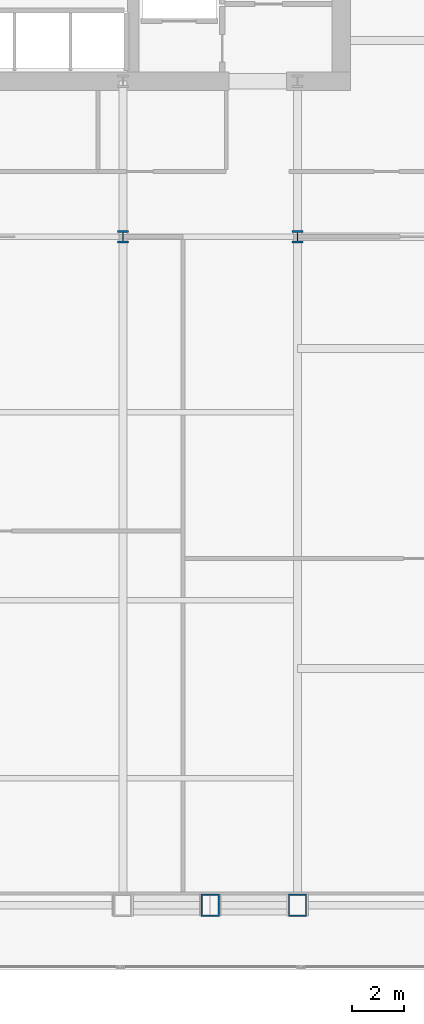
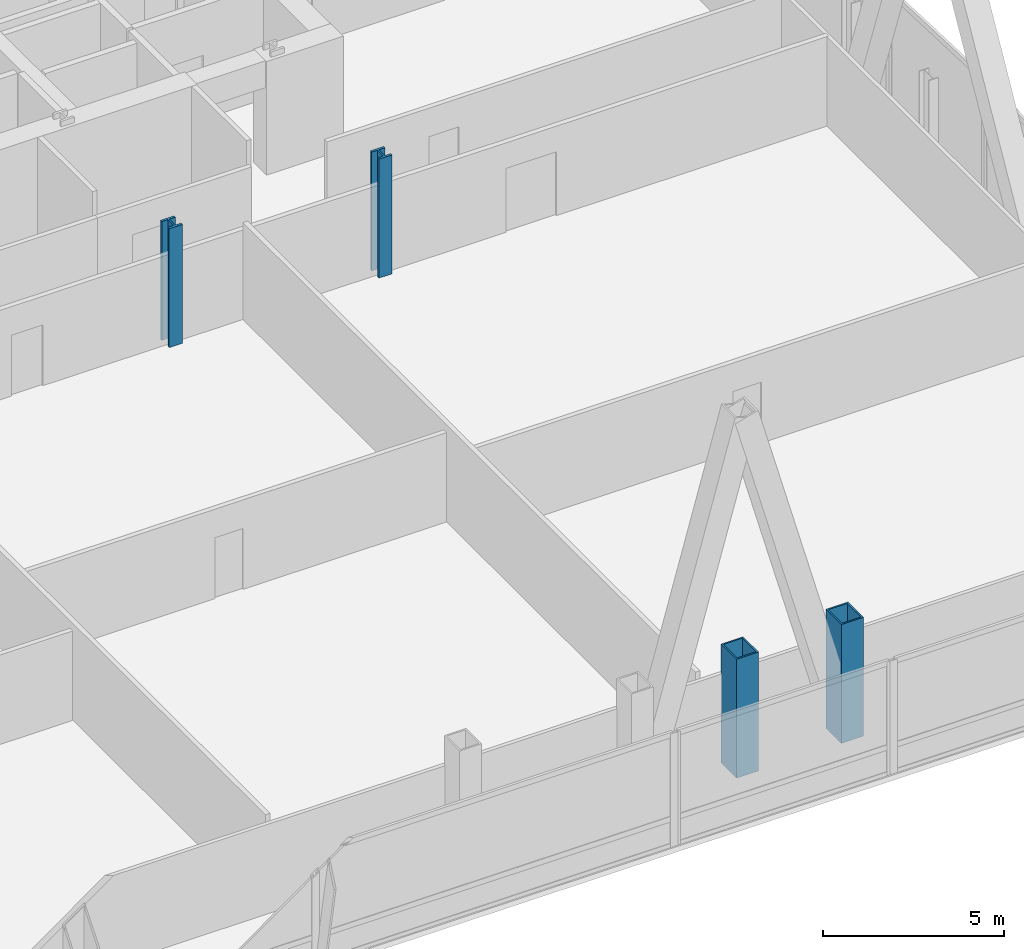
# One storey, part 2 of 32: 4 columns.
"""IFC4 building model written with IfcOpenShell, lengths in metres."""

from ifc_helpers import new_model, si_unit, direction, frame, origin, origin_2d, place, context, subcontext, project, spatial, hollow_rectangle, i_section, extrude, material, material_profile, profile_set, type_object, element, save


model = new_model("IFC4")

# Units and contexts
model_context = context("Model", 3, precision=1e-05, world=origin(), true_north=direction((0.0, 1.0)))
body_context = subcontext(model_context, "Body", "Model", "MODEL_VIEW")
ifc_project = project(units=[si_unit("LENGTHUNIT", "METRE"), si_unit("AREAUNIT", "SQUARE_METRE"), si_unit("VOLUMEUNIT", "CUBIC_METRE"), si_unit("PLANEANGLEUNIT", "RADIAN"), si_unit("MASSUNIT", "GRAM", prefix="KILO")], contexts=[model_context])

# Site, building, storey
site_placement = place(None, origin())
site = spatial("IfcSite", under=ifc_project, at=site_placement, CompositionType="ELEMENT")
building_placement = place(site_placement, origin())
building = spatial("IfcBuilding", under=site, at=building_placement, Name="Khoronbel Lancet Exchange", CompositionType="ELEMENT")
storey_placement = place(building_placement, frame((0.0, 0.0, 94.60009765625)))
storey = spatial("IfcBuildingStorey", under=building, at=storey_placement, Name="L22", CompositionType="ELEMENT", Elevation=94.60009765625)

# Columns
ifc_material = material(Name="Steel S460", Category="steel")
ifc_material_profile_1 = material_profile(ifc_material, hollow_rectangle(XDim=0.699951171875, YDim=0.85009765625, WallThickness=0.050048828125, at=origin_2d()), Name="BOX 850x700x50")
ifc_profile_set_1 = profile_set([ifc_material_profile_1], Name="Steel S460")
column_type_1 = type_object("IfcColumnType", Name="COL-EC2", PredefinedType="COLUMN", material=ifc_profile_set_1)
for number, where, z_axis, x_axis, name in (
    (1, (51.33740234375, 10.14990234375, 0.0), (0.0, 0.0, 1.0), (1.0, 0.0, 0.0), "Structural column SC-EM L22"),
    (2, (54.675048828125, 10.14990234375, 0.0), (0.0, 0.0, 1.0), (1.0, 0.0, 0.0), "Structural column SC-E2 L22"),
):
    element("IfcColumn", number, at=place(storey_placement, frame(where, z_axis=z_axis, x_axis=x_axis)), inside=storey, type_object=column_type_1, Name=name, PredefinedType="COLUMN", context=body_context, shape_type="SweptSolid", body=[
        extrude(hollow_rectangle(XDim=0.699951171875, YDim=0.85009765625, WallThickness=0.050048828125, at=origin_2d()), origin(), (0.0, 0.0, 1.0), 4.0),
    ])
ifc_material_profile_2 = material_profile(ifc_material, i_section(OverallWidth=0.424072265625, OverallDepth=0.47412109375, WebThickness=0.047607421875, FlangeThickness=0.076904296875, at=origin_2d()), Name="HD 400x634")
ifc_profile_set_2 = profile_set([ifc_material_profile_2], Name="Steel S460")
column_type_2 = type_object("IfcColumnType", Name="COL-IC1", PredefinedType="COLUMN", material=ifc_profile_set_2)
for number, where, z_axis, x_axis, name in (
    (3, (48.0, 35.699951171875, 0.0), (0.0, 0.0, 1.0), (1.0, 0.0, 0.0), "Spine gravity column TC3 L22"),
    (4, (54.675048828125, 35.699951171875, 0.0), (0.0, 0.0, 1.0), (1.0, 0.0, 0.0), "Spine gravity column TC4 L22"),
):
    element("IfcColumn", number, at=place(storey_placement, frame(where, z_axis=z_axis, x_axis=x_axis)), inside=storey, type_object=column_type_2, Name=name, PredefinedType="COLUMN", context=body_context, shape_type="SweptSolid", body=[
        extrude(i_section(OverallWidth=0.424072265625, OverallDepth=0.47412109375, WebThickness=0.047607421875, FlangeThickness=0.076904296875, at=origin_2d()), origin(), (0.0, 0.0, 1.0), 4.0),
    ])

save(model, "model.ifc")
